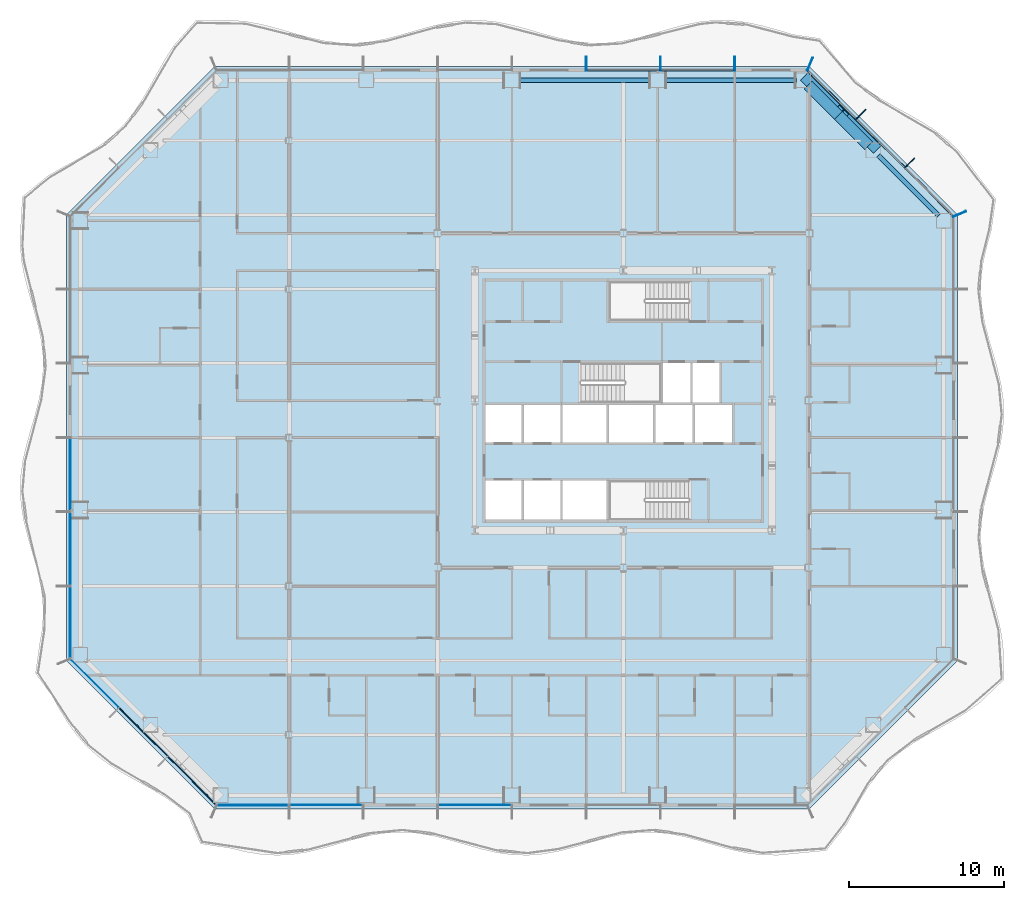
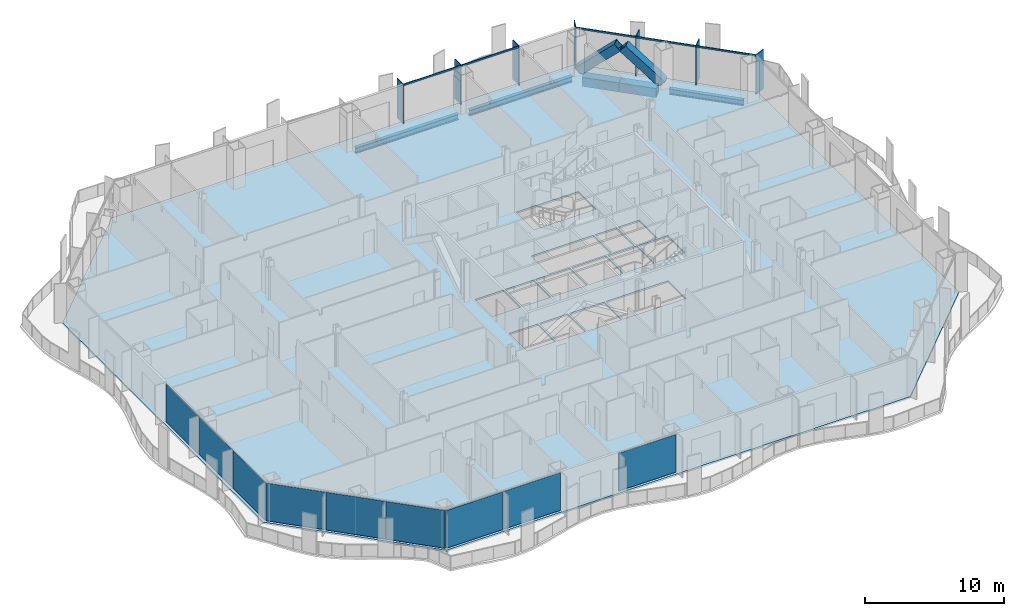
# One storey, part 4 of 21: 14 members, 9 plates, 5 beams, 1 slab, 5 elements without a shape of their own.
"""IFC4 building model written with IfcOpenShell, lengths in metres."""

from ifc_helpers import new_model, si_unit, direction, frame, origin, origin_2d, place, context, subcontext, project, spatial, polyline, rectangle, hollow_rectangle, i_section, outline, extrude, material, layer, layer_set, material_profile, profile_set, type_object, element, aggregate, save


model = new_model("IFC4")

# Units and contexts
model_context = context("Model", 3, precision=1e-05, world=origin(), true_north=direction((0.0, 1.0)))
body_context = subcontext(model_context, "Body", "Model", "MODEL_VIEW")
ifc_project = project(units=[si_unit("LENGTHUNIT", "METRE"), si_unit("AREAUNIT", "SQUARE_METRE"), si_unit("VOLUMEUNIT", "CUBIC_METRE"), si_unit("PLANEANGLEUNIT", "RADIAN"), si_unit("MASSUNIT", "GRAM", prefix="KILO")], contexts=[model_context])

# Site, building, storey
site_placement = place(None, origin())
site = spatial("IfcSite", under=ifc_project, at=site_placement, CompositionType="ELEMENT")
building_placement = place(site_placement, origin())
building = spatial("IfcBuilding", under=site, at=building_placement, Name="Cairn Pilgrim Tower", CompositionType="ELEMENT")
storey_placement = place(building_placement, frame((0.0, 0.0, 43.800048828125)))
storey = spatial("IfcBuildingStorey", under=building, at=storey_placement, Name="L08", CompositionType="ELEMENT", Elevation=43.800048828125)

# Members
ifc_material_1 = material(Name="Structural steel S460M", Category="steel")
ifc_material_profile_1 = material_profile(ifc_material_1, hollow_rectangle(XDim=0.699951171875, YDim=0.699951171875, WallThickness=0.0400390625, at=origin_2d()), Name="BOX 700x700x40")
ifc_profile_set_1 = profile_set([ifc_material_profile_1], Name="Structural steel S460M")
member_type_1 = type_object("IfcMemberType", Name="BOX 700x700x40 BRACE", PredefinedType="BRACE", material=ifc_profile_set_1)
member_1_placement = place(storey_placement, frame((23.44482421875, 18.786376953125, 0.14990234375), z_axis=(-0.528068439288, 0.528068439288, 0.665046950866), x_axis=(-0.707106781187, -0.707106781187, 0.0)))
element("IfcMember", 1, at=member_1_placement, inside=storey, type_object=member_type_1, Name="XB-NE2-N1-1", PredefinedType="BRACE", context=body_context, shape_type="SweptSolid", body=[
    extrude(hollow_rectangle(XDim=0.699951171875, YDim=0.699951171875, WallThickness=0.0400390625, at=origin_2d()), origin(), (0.0, 0.0, 1.0), 3.899658203125),
])
member_2_placement = place(storey_placement, frame((19.0498046875, 23.181396484375, 0.14990234375), z_axis=(0.528096125699, -0.528096125699, 0.665002980477), x_axis=(0.707106781187, 0.707106781187, 0.0)))
element("IfcMember", 2, at=member_2_placement, inside=storey, type_object=member_type_1, Name="XB-NE2-N1-2", PredefinedType="BRACE", context=body_context, shape_type="SweptSolid", body=[
    extrude(hollow_rectangle(XDim=0.699951171875, YDim=0.699951171875, WallThickness=0.0400390625, at=origin_2d()), origin(), (0.0, 0.0, 1.0), 3.89990234375),
])

# Beams
ifc_material_2 = material(Name="Structural steel S355J2", Category="steel")
ifc_material_profile_2 = material_profile(ifc_material_2, hollow_rectangle(XDim=0.699951171875, YDim=0.800048828125, WallThickness=0.0400390625, at=origin_2d()), Name="BOX 700x800x40")
ifc_profile_set_2 = profile_set([ifc_material_profile_2], Name="Structural steel S355J2")
beam_type_1 = type_object("IfcBeamType", Name="BOX 700x800x40 RING GIRDER", PredefinedType="SPANDREL", material=ifc_profile_set_2)
for number, where, z_axis, x_axis, name in (
    (3, (23.04541015625, 18.8818359375, -0.550048828125), (-0.707106781187, 0.707106781187, 0.0), (-0.707106781187, -0.707106781187, 0.0), "RG1-NE2-N1-1"),
    (4, (21.095458984375, 20.831787109375, -0.550048828125), (-0.707106781187, 0.707106781187, 0.0), (-0.707106781187, -0.707106781187, 0.0), "RG1-NE2-N1-2"),
):
    element("IfcBeam", number, at=place(storey_placement, frame(where, z_axis=z_axis, x_axis=x_axis)), inside=storey, type_object=beam_type_1, Name=name, PredefinedType="SPANDREL", context=body_context, shape_type="SweptSolid", body=[
        extrude(hollow_rectangle(XDim=0.699951171875, YDim=0.800048828125, WallThickness=0.0400390625, at=origin_2d()), origin(), (0.0, 0.0, 1.0), 2.757568359375),
    ])

# Curtain wall, members
ifc_material_3 = material(Name="Aluminium alloy 6063-T6 bronze anodised with Bronze tinted laminated low-E glass 8+16+8.8", Category="aluminium")
curtain_wall_type_1 = type_object("IfcCurtainWallType", Name="CHAMFER CORNER CURTAIN WALL", PredefinedType="NOTDEFINED", material=ifc_material_3)
curtain_wall_1_placement = place(storey_placement, origin())
curtain_wall_1 = element("IfcCurtainWall", 5, at=curtain_wall_1_placement, inside=storey, type_object=curtain_wall_type_1, Name="Chamfer Corner Curtain Wall NE", PredefinedType="NOTDEFINED")
ifc_material_4 = material(Name="Aluminium alloy 6063-T6 bronze anodised", Category="aluminium")
ifc_material_profile_3 = material_profile(ifc_material_4, rectangle(XDim=0.89990234375, YDim=0.06005859375, at=origin_2d()), Name="FIN MULLION 60x900 BRONZE")
ifc_profile_set_3 = profile_set([ifc_material_profile_3], Name="Aluminium alloy 6063-T6 bronze anodised")
member_type_2 = type_object("IfcMemberType", Name="FIN MULLION 60x900 BRONZE", PredefinedType="MULLION", material=ifc_profile_set_3)
member_3_placement = place(storey_placement, frame((28.93798828125, 14.457275390625, 0.0), z_axis=(0.0, 0.0, 1.0), x_axis=(0.923879532511, 0.382683432365, 0.0)))
member_3 = element("IfcMember", 6, at=member_3_placement, type_object=member_type_2, Name="Fin mullion NE1", PredefinedType="MULLION", context=body_context, shape_type="SweptSolid", body=[
    extrude(rectangle(XDim=0.89990234375, YDim=0.06005859375, at=origin_2d()), origin(), (0.0, 0.0, 1.0), 3.449951171875),
])
member_4_placement = place(storey_placement, frame((25.69580078125, 17.74462890625, 0.0), z_axis=(0.0, 0.0, 1.0), x_axis=(0.707106781187, 0.707106781187, 0.0)))
member_4 = element("IfcMember", 7, at=member_4_placement, type_object=member_type_2, Name="Fin mullion NE2", PredefinedType="MULLION", context=body_context, shape_type="SweptSolid", body=[
    extrude(rectangle(XDim=0.89990234375, YDim=0.06005859375, at=origin_2d()), origin(), (0.0, 0.0, 1.0), 3.449951171875),
])
member_5_placement = place(storey_placement, frame((22.544677734375, 20.895751953125, 0.0), z_axis=(0.0, 0.0, 1.0), x_axis=(0.707106781187, 0.707106781187, 0.0)))
member_5 = element("IfcMember", 8, at=member_5_placement, type_object=member_type_2, Name="Fin mullion NE3", PredefinedType="MULLION", context=body_context, shape_type="SweptSolid", body=[
    extrude(rectangle(XDim=0.89990234375, YDim=0.06005859375, at=origin_2d()), origin(), (0.0, 0.0, 1.0), 3.449951171875),
])

curtain_wall_type_2 = type_object("IfcCurtainWallType", Name="TOWER STICK CURTAIN WALL NS", PredefinedType="NOTDEFINED", material=ifc_material_3)
curtain_wall_2_placement = place(storey_placement, origin())
curtain_wall_2 = element("IfcCurtainWall", 9, at=curtain_wall_2_placement, inside=storey, type_object=curtain_wall_type_2, Name="Tower Stick Curtain Wall Ns N", PredefinedType="NOTDEFINED")
member_6_placement = place(storey_placement, frame((19.257080078125, 24.137939453125, 0.0), z_axis=(0.0, 0.0, 1.0), x_axis=(0.382683432365, 0.923879532511, 0.0)))
member_6 = element("IfcMember", 10, at=member_6_placement, type_object=member_type_2, Name="Fin mullion N1", PredefinedType="MULLION", context=body_context, shape_type="SweptSolid", body=[
    extrude(rectangle(XDim=0.89990234375, YDim=0.06005859375, at=origin_2d()), origin(), (0.0, 0.0, 1.0), 3.449951171875),
])
member_7_placement = place(storey_placement, frame((14.39990234375, 24.169921875, 0.0), z_axis=(0.0, 0.0, 1.0), x_axis=(0.0, 1.0, 0.0)))
member_7 = element("IfcMember", 11, at=member_7_placement, type_object=member_type_2, Name="Fin mullion N2", PredefinedType="MULLION", context=body_context, shape_type="SweptSolid", body=[
    extrude(rectangle(XDim=0.89990234375, YDim=0.06005859375, at=origin_2d()), origin(), (0.0, 0.0, 1.0), 3.449951171875),
])
member_8_placement = place(storey_placement, frame((9.60009765625, 24.169921875, 0.0), z_axis=(0.0, 0.0, 1.0), x_axis=(0.0, 1.0, 0.0)))
member_8 = element("IfcMember", 12, at=member_8_placement, type_object=member_type_2, Name="Fin mullion N3", PredefinedType="MULLION", context=body_context, shape_type="SweptSolid", body=[
    extrude(rectangle(XDim=0.89990234375, YDim=0.06005859375, at=origin_2d()), origin(), (0.0, 0.0, 1.0), 3.449951171875),
])
member_9_placement = place(storey_placement, frame((4.800048828125, 24.169921875, 0.0), z_axis=(0.0, 0.0, 1.0), x_axis=(0.0, 1.0, 0.0)))
member_9 = element("IfcMember", 13, at=member_9_placement, type_object=member_type_2, Name="Fin mullion N4", PredefinedType="MULLION", context=body_context, shape_type="SweptSolid", body=[
    extrude(rectangle(XDim=0.89990234375, YDim=0.06005859375, at=origin_2d()), origin(), (0.0, 0.0, 1.0), 3.449951171875),
])

# Beams
ifc_material_profile_4 = material_profile(ifc_material_2, i_section(OverallWidth=0.300048828125, OverallDepth=0.5, WebThickness=0.014404296875, FlangeThickness=0.028076171875, FilletRadius=0.027099609375, at=origin_2d()), Name="HEB 500")
ifc_profile_set_4 = profile_set([ifc_material_profile_4], Name="Structural steel S355J2")
beam_type_2 = type_object("IfcBeamType", Name="HEB 500 RING GIRDER", PredefinedType="SPANDREL", material=ifc_profile_set_4)
beam_placement = place(storey_placement, frame((27.581787109375, 14.345458984375, -0.400146484375), z_axis=(-0.707106781187, 0.707106781187, 0.0), x_axis=(-0.707106781187, -0.707106781187, 0.0)))
element("IfcBeam", 14, at=beam_placement, inside=storey, type_object=beam_type_2, Name="RG1-NE1-NE2", PredefinedType="SPANDREL", context=body_context, shape_type="SweptSolid", body=[
    extrude(i_section(OverallWidth=0.300048828125, OverallDepth=0.5, WebThickness=0.014404296875, FlangeThickness=0.028076171875, FilletRadius=0.027099609375, at=origin_2d()), origin(), (0.0, 0.0, 1.0), 5.515380859375),
])
for number, where, z_axis, x_axis, name in (
    (15, (18.377197265625, 23.10009765625, -0.400146484375), (-1.0, 0.0, 0.0), (0.0, -1.0, 0.0), "RG1-N1-N2"),
    (16, (8.963623046875, 23.10009765625, -0.400146484375), (-1.0, 0.0, 0.0), (0.0, -1.0, 0.0), "RG1-N2-N3"),
):
    element("IfcBeam", number, at=place(storey_placement, frame(where, z_axis=z_axis, x_axis=x_axis)), inside=storey, type_object=beam_type_2, Name=name, PredefinedType="SPANDREL", context=body_context, shape_type="SweptSolid", body=[
        extrude(i_section(OverallWidth=0.300048828125, OverallDepth=0.5, WebThickness=0.014404296875, FlangeThickness=0.028076171875, FilletRadius=0.027099609375, at=origin_2d()), origin(), (0.0, 0.0, 1.0), 8.513671875),
    ])

# Member
ifc_material_profile_5 = material_profile(ifc_material_4, rectangle(XDim=0.080078125, YDim=0.14990234375, at=origin_2d()), Name="TRANSOM 80x150 BRONZE")
ifc_profile_set_5 = profile_set([ifc_material_profile_5], Name="Aluminium alloy 6063-T6 bronze anodised")
member_type_3 = type_object("IfcMemberType", Name="TRANSOM 80x150 BRONZE", PredefinedType="USERDEFINED", material=ifc_profile_set_5)
member_10_placement = place(storey_placement, frame((28.521728515625, 14.32470703125, 3.375), z_axis=(-0.707106781187, 0.707106781187, 0.0), x_axis=(-0.707106781187, -0.707106781187, 0.0)))
member_10 = element("IfcMember", 17, at=member_10_placement, type_object=member_type_3, Name="Transom NE1", ObjectType="TRANSOM", PredefinedType="USERDEFINED", context=body_context, shape_type="SweptSolid", body=[
    extrude(rectangle(XDim=0.080078125, YDim=0.14990234375, at=origin_2d()), origin(), (0.0, 0.0, 1.0), 4.38671875),
])

member_11_placement = place(storey_placement, frame((25.377685546875, 17.46875, 3.375), z_axis=(-0.707106781187, 0.707106781187, 0.0), x_axis=(-0.707106781187, -0.707106781187, 0.0)))
member_11 = element("IfcMember", 18, at=member_11_placement, type_object=member_type_3, Name="Transom NE2", ObjectType="TRANSOM", PredefinedType="USERDEFINED", context=body_context, shape_type="SweptSolid", body=[
    extrude(rectangle(XDim=0.080078125, YDim=0.14990234375, at=origin_2d()), origin(), (0.0, 0.0, 1.0), 4.396728515625),
])

member_12_placement = place(storey_placement, frame((22.226318359375, 20.6201171875, 3.375), z_axis=(-0.707106781187, 0.707106781187, 0.0), x_axis=(-0.707106781187, -0.707106781187, 0.0)))
member_12 = element("IfcMember", 19, at=member_12_placement, type_object=member_type_3, Name="Transom NE3", ObjectType="TRANSOM", PredefinedType="USERDEFINED", context=body_context, shape_type="SweptSolid", body=[
    extrude(rectangle(XDim=0.080078125, YDim=0.14990234375, at=origin_2d()), origin(), (0.0, 0.0, 1.0), 4.38623046875),
])

aggregate(curtain_wall_1, [member_3, member_4, member_5, member_10, member_11, member_12])

member_13_placement = place(storey_placement, frame((14.3701171875, 23.75, 3.375), z_axis=(-1.0, 0.0, 0.0), x_axis=(0.0, -1.0, 0.0)))
member_13 = element("IfcMember", 20, at=member_13_placement, type_object=member_type_3, Name="Transom N2", ObjectType="TRANSOM", PredefinedType="USERDEFINED", context=body_context, shape_type="SweptSolid", body=[
    extrude(rectangle(XDim=0.080078125, YDim=0.14990234375, at=origin_2d()), origin(), (0.0, 0.0, 1.0), 4.740234375),
])

member_14_placement = place(storey_placement, frame((9.570068359375, 23.75, 3.375), z_axis=(-1.0, 0.0, 0.0), x_axis=(0.0, -1.0, 0.0)))
member_14 = element("IfcMember", 21, at=member_14_placement, type_object=member_type_3, Name="Transom N3", ObjectType="TRANSOM", PredefinedType="USERDEFINED", context=body_context, shape_type="SweptSolid", body=[
    extrude(rectangle(XDim=0.080078125, YDim=0.14990234375, at=origin_2d()), origin(), (0.0, 0.0, 1.0), 4.739990234375),
])

aggregate(curtain_wall_2, [member_6, member_7, member_8, member_9, member_13, member_14])

# Slab
ifc_material_5 = material(Name="Concrete C35/45", Category="concrete")
ifc_layer_1 = layer(ifc_material_5, 0.14990234375)
ifc_layer_set_1 = layer_set([ifc_layer_1], Name="COMPOSITE FLOOR SLAB 150")
slab_type = type_object("IfcSlabType", Name="COMPOSITE FLOOR SLAB 150", PredefinedType="FLOOR", material=ifc_layer_set_1)
slab_placement = place(storey_placement, frame((0.0, 0.0, -0.150146484375)))
element("IfcSlab", 22, at=slab_placement, inside=storey, type_object=slab_type, Name="FLOOR SLAB L08", PredefinedType="FLOOR", context=body_context, shape_type="SweptSolid", body=[
    extrude(outline(polyline([(-19.199951171875, -24.0), (19.199951171875, -24.0), (28.800048828125, -14.39990234375), (28.800048828125, 14.39990234375), (19.199951171875, 24.0), (-19.199951171875, 24.0), (-28.800048828125, 14.39990234375), (-28.800048828125, -14.39990234375), (-19.199951171875, -24.0)]), holes=[polyline([(-1.72509765625, -5.300048828125), (0.625, -5.300048828125), (0.625, -2.77490234375), (-1.72509765625, -2.77490234375), (-1.72509765625, -5.300048828125)]), polyline([(0.77490234375, -5.300048828125), (3.125, -5.300048828125), (3.125, -2.77490234375), (0.77490234375, -2.77490234375), (0.77490234375, -5.300048828125)]), polyline([(-1.72509765625, -0.324951171875), (0.625, -0.324951171875), (0.625, 2.125), (-1.72509765625, 2.125), (-1.72509765625, -0.324951171875)]), polyline([(0.77490234375, -0.324951171875), (3.125, -0.324951171875), (3.125, 2.125), (0.77490234375, 2.125), (0.77490234375, -0.324951171875)]), polyline([(3.27490234375, -5.300048828125), (6.125, -5.300048828125), (6.125, -2.77490234375), (3.27490234375, -2.77490234375), (3.27490234375, -5.300048828125)]), polyline([(3.27490234375, -0.324951171875), (6.125, -0.324951171875), (6.125, 2.125), (3.27490234375, 2.125), (3.27490234375, -0.324951171875)]), polyline([(6.27490234375, -0.324951171875), (9.125, -0.324951171875), (9.125, 2.125), (6.27490234375, 2.125), (6.27490234375, -0.324951171875)]), polyline([(9.27490234375, -0.324951171875), (11.675048828125, -0.324951171875), (11.675048828125, 2.125), (9.27490234375, 2.125), (9.27490234375, -0.324951171875)]), polyline([(11.824951171875, -0.324951171875), (14.22509765625, -0.324951171875), (14.22509765625, 2.125), (11.824951171875, 2.125), (11.824951171875, -0.324951171875)]), polyline([(9.77490234375, 2.27490234375), (11.52490234375, 2.27490234375), (11.52490234375, 4.824951171875), (9.77490234375, 4.824951171875), (9.77490234375, 2.27490234375)]), polyline([(11.675048828125, 2.27490234375), (13.425048828125, 2.27490234375), (13.425048828125, 4.824951171875), (11.675048828125, 4.824951171875), (11.675048828125, 2.27490234375)]), polyline([(11.424560546875, -2.77490234375), (6.27490234375, -2.77490234375), (6.27490234375, -5.300048828125), (11.424560546875, -5.300048828125), (11.424560546875, -2.77490234375)]), polyline([(4.4755859375, 2.27490234375), (9.625, 2.27490234375), (9.625, 4.824951171875), (4.4755859375, 4.824951171875), (4.4755859375, 2.27490234375)]), polyline([(11.424560546875, 10.10009765625), (6.27490234375, 10.10009765625), (6.27490234375, 7.574951171875), (11.424560546875, 7.574951171875), (11.424560546875, 10.10009765625)])]), origin(), (0.0, 0.0, 1.0), 0.150146484375),
])

# Curtain wall, plates
curtain_wall_3_placement = place(storey_placement, origin())
curtain_wall_3 = element("IfcCurtainWall", 23, at=curtain_wall_3_placement, inside=storey, type_object=curtain_wall_type_1, Name="Chamfer Corner Curtain Wall SW", PredefinedType="NOTDEFINED")
ifc_material_6 = material(Name="Bronze anodised aluminium spandrel panel with mineral wool insulation", Category="aluminium")
ifc_layer_2 = layer(ifc_material_6, 0.06005859375)
ifc_layer_set_2 = layer_set([ifc_layer_2], Name="SPANDREL PANEL 4386x3300")
plate_type_1 = type_object("IfcPlateType", Name="SPANDREL PANEL 4386x3300", PredefinedType="CURTAIN_PANEL", material=ifc_layer_set_2)
plate_1_placement = place(storey_placement, frame((-20.675537109375, -22.1708984375, 0.0), z_axis=(0.0, 0.0, 1.0), x_axis=(0.707106781187, -0.707106781187, 0.0)))
plate_1 = element("IfcPlate", 24, at=plate_1_placement, type_object=plate_type_1, Name="Spandrel Panel SW3-1", PredefinedType="CURTAIN_PANEL", context=body_context, shape_type="SweptSolid", body=[
    extrude(rectangle(XDim=4.386474609375, YDim=0.06005859375, at=origin_2d()), origin(), (0.0, 0.0, 1.0), 3.300048828125),
])
ifc_layer_3 = layer(ifc_material_6, 0.06005859375)
ifc_layer_set_3 = layer_set([ifc_layer_3], Name="SPANDREL PANEL 4396x3300")
plate_type_2 = type_object("IfcPlateType", Name="SPANDREL PANEL 4396x3300", PredefinedType="CURTAIN_PANEL", material=ifc_layer_set_3)
plate_2_placement = place(storey_placement, frame((-23.8232421875, -19.023193359375, 0.0), z_axis=(0.0, 0.0, 1.0), x_axis=(0.707106781187, -0.707106781187, 0.0)))
plate_2 = element("IfcPlate", 25, at=plate_2_placement, type_object=plate_type_2, Name="Spandrel Panel SW2-1", PredefinedType="CURTAIN_PANEL", context=body_context, shape_type="SweptSolid", body=[
    extrude(rectangle(XDim=4.396484375, YDim=0.06005859375, at=origin_2d()), origin(), (0.0, 0.0, 1.0), 3.300048828125),
])

# Curtain wall, plate
curtain_wall_4_placement = place(storey_placement, origin())
curtain_wall_4 = element("IfcCurtainWall", 26, at=curtain_wall_4_placement, inside=storey, type_object=curtain_wall_type_2, Name="Tower Stick Curtain Wall Ns S", PredefinedType="NOTDEFINED")
ifc_layer_4 = layer(ifc_material_6, 0.06005859375)
ifc_layer_set_4 = layer_set([ifc_layer_4], Name="SPANDREL PANEL 4626x3300")
plate_type_3 = type_object("IfcPlateType", Name="SPANDREL PANEL 4626x3300", PredefinedType="CURTAIN_PANEL", material=ifc_layer_set_4)
plate_3_placement = place(storey_placement, frame((-16.7431640625, -23.75, 0.0), z_axis=(0.0, 0.0, 1.0), x_axis=(1.0, 0.0, 0.0)))
plate_3 = element("IfcPlate", 27, at=plate_3_placement, type_object=plate_type_3, Name="Spandrel Panel S1-1", PredefinedType="CURTAIN_PANEL", context=body_context, shape_type="SweptSolid", body=[
    extrude(rectangle(XDim=4.62646484375, YDim=0.06005859375, at=origin_2d()), origin(), (0.0, 0.0, 1.0), 3.300048828125),
])

# Plate
ifc_material_7 = material(Name="Bronze tinted laminated low-E glass 8+16+8.8", Category="glass")
ifc_layer_5 = layer(ifc_material_7, 0.033935546875)
ifc_layer_set_5 = layer_set([ifc_layer_5], Name="VISION GLAZING 4386x3300")
plate_type_4 = type_object("IfcPlateType", Name="VISION GLAZING 4386x3300", PredefinedType="CURTAIN_PANEL", material=ifc_layer_set_5)
plate_4_placement = place(storey_placement, frame((-26.970947265625, -15.87548828125, 0.0), z_axis=(0.0, 0.0, 1.0), x_axis=(0.707106781187, -0.707106781187, 0.0)))
plate_4 = element("IfcPlate", 28, at=plate_4_placement, type_object=plate_type_4, Name="Vision Glazing SW1-1", PredefinedType="CURTAIN_PANEL", context=body_context, shape_type="SweptSolid", body=[
    extrude(rectangle(XDim=4.386474609375, YDim=0.033935546875, at=origin_2d()), origin(), (0.0, 0.0, 1.0), 3.300048828125),
])

aggregate(curtain_wall_3, [plate_4, plate_2, plate_1])

# Curtain wall, plate
curtain_wall_type_3 = type_object("IfcCurtainWallType", Name="TOWER STICK CURTAIN WALL EW", PredefinedType="NOTDEFINED", material=ifc_material_3)
curtain_wall_5_placement = place(storey_placement, origin())
curtain_wall_5 = element("IfcCurtainWall", 29, at=curtain_wall_5_placement, inside=storey, type_object=curtain_wall_type_3, Name="Tower Stick Curtain Wall Ew W", PredefinedType="NOTDEFINED")
ifc_layer_6 = layer(ifc_material_7, 0.033935546875)
ifc_layer_set_6 = layer_set([ifc_layer_6], Name="VISION GLAZING 4626x3300")
plate_type_5 = type_object("IfcPlateType", Name="VISION GLAZING 4626x3300", PredefinedType="CURTAIN_PANEL", material=ifc_layer_set_6)
plate_5_placement = place(storey_placement, frame((-28.550048828125, -11.943115234375, 0.0), z_axis=(0.0, 0.0, 1.0), x_axis=(0.0, -1.0, 0.0)))
plate_5 = element("IfcPlate", 30, at=plate_5_placement, type_object=plate_type_5, Name="Vision Glazing W6-1", PredefinedType="CURTAIN_PANEL", context=body_context, shape_type="SweptSolid", body=[
    extrude(rectangle(XDim=4.62646484375, YDim=0.033935546875, at=origin_2d()), origin(), (0.0, 0.0, 1.0), 3.300048828125),
])

# Plate
ifc_layer_7 = layer(ifc_material_7, 0.033935546875)
ifc_layer_set_7 = layer_set([ifc_layer_7], Name="VISION GLAZING 4740x3300")
plate_type_6 = type_object("IfcPlateType", Name="VISION GLAZING 4740x3300", PredefinedType="CURTAIN_PANEL", material=ifc_layer_set_7)
plate_6_placement = place(storey_placement, frame((-12.0, -23.75, 0.0), z_axis=(0.0, 0.0, 1.0), x_axis=(1.0, 0.0, 0.0)))
plate_6 = element("IfcPlate", 31, at=plate_6_placement, type_object=plate_type_6, Name="Vision Glazing S2-1", PredefinedType="CURTAIN_PANEL", context=body_context, shape_type="SweptSolid", body=[
    extrude(rectangle(XDim=4.739990234375, YDim=0.033935546875, at=origin_2d()), origin(), (0.0, 0.0, 1.0), 3.300048828125),
])

plate_7_placement = place(storey_placement, frame((-2.39990234375, -23.75, 0.0), z_axis=(0.0, 0.0, 1.0), x_axis=(1.0, 0.0, 0.0)))
plate_7 = element("IfcPlate", 32, at=plate_7_placement, type_object=plate_type_6, Name="Vision Glazing S4-1", PredefinedType="CURTAIN_PANEL", context=body_context, shape_type="SweptSolid", body=[
    extrude(rectangle(XDim=4.739990234375, YDim=0.033935546875, at=origin_2d()), origin(), (0.0, 0.0, 1.0), 3.300048828125),
])

aggregate(curtain_wall_4, [plate_3, plate_6, plate_7])

plate_8_placement = place(storey_placement, frame((-28.550048828125, -2.39990234375, 0.0), z_axis=(0.0, 0.0, 1.0), x_axis=(0.0, -1.0, 0.0)))
plate_8 = element("IfcPlate", 33, at=plate_8_placement, type_object=plate_type_6, Name="Vision Glazing W4-1", PredefinedType="CURTAIN_PANEL", context=body_context, shape_type="SweptSolid", body=[
    extrude(rectangle(XDim=4.739990234375, YDim=0.033935546875, at=origin_2d()), origin(), (0.0, 0.0, 1.0), 3.300048828125),
])

plate_9_placement = place(storey_placement, frame((-28.550048828125, -7.199951171875, 0.0), z_axis=(0.0, 0.0, 1.0), x_axis=(0.0, -1.0, 0.0)))
plate_9 = element("IfcPlate", 34, at=plate_9_placement, type_object=plate_type_6, Name="Vision Glazing W5-1", PredefinedType="CURTAIN_PANEL", context=body_context, shape_type="SweptSolid", body=[
    extrude(rectangle(XDim=4.739990234375, YDim=0.033935546875, at=origin_2d()), origin(), (0.0, 0.0, 1.0), 3.300048828125),
])

aggregate(curtain_wall_5, [plate_8, plate_9, plate_5])

save(model, "model.ifc")
